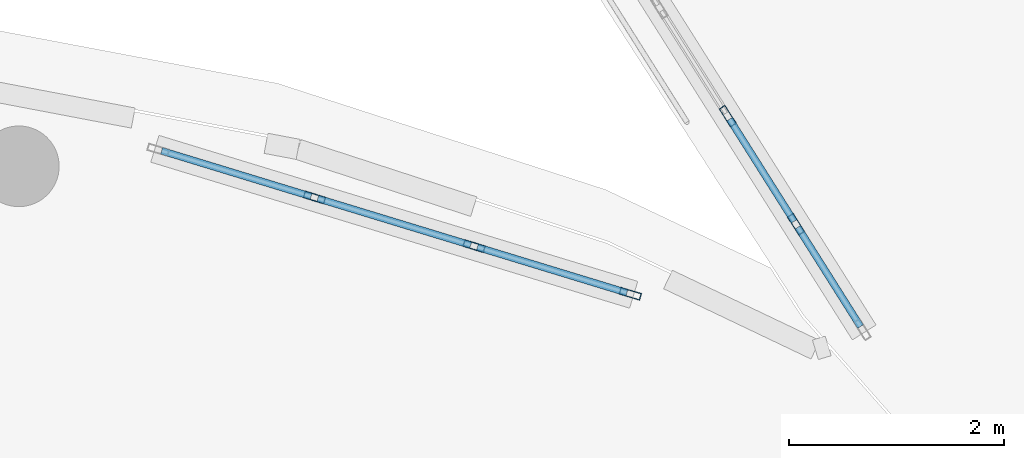
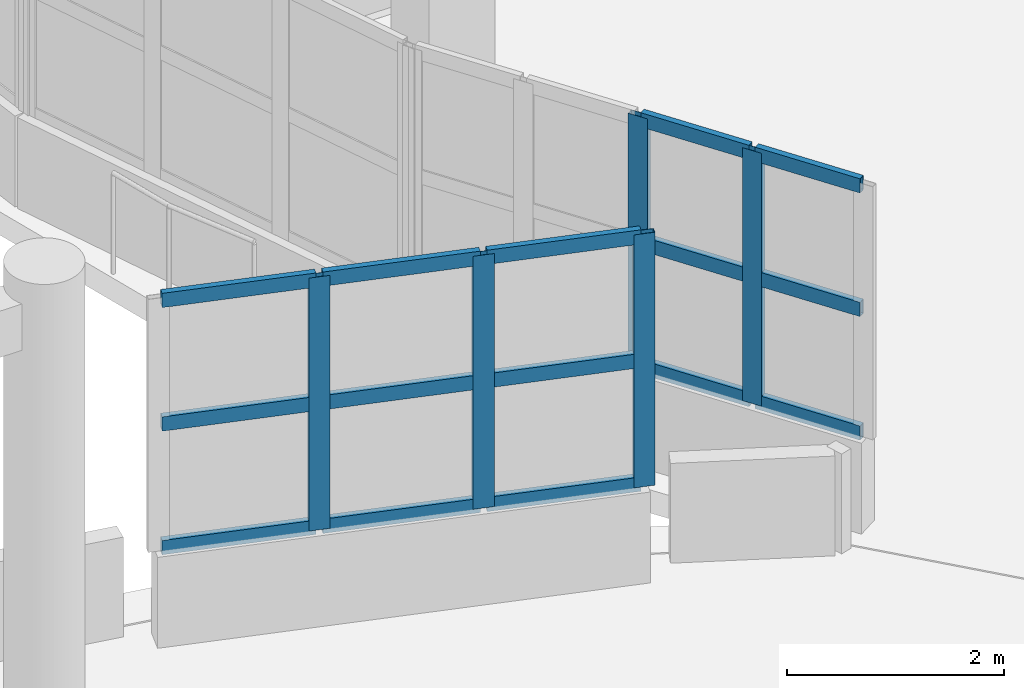
# One storey, part 34 of 98: 20 members, 2 elements without a shape of their own.
"""IFC4 building model written with IfcOpenShell, lengths in metres."""

from ifc_helpers import new_model, si_unit, direction, frame, origin, origin_2d, place, context, subcontext, project, spatial, hollow_rectangle, extrude, material, layer, layer_set, material_profile, profile_set, type_object, element, aggregate, save


model = new_model("IFC4")

# Units and contexts
model_context = context("Model", 3, precision=1e-05, world=origin(), true_north=direction((0.0, 1.0)))
body_context = subcontext(model_context, "Body", "Model", "MODEL_VIEW")
ifc_project = project(units=[si_unit("LENGTHUNIT", "METRE"), si_unit("AREAUNIT", "SQUARE_METRE"), si_unit("VOLUMEUNIT", "CUBIC_METRE"), si_unit("PLANEANGLEUNIT", "RADIAN"), si_unit("MASSUNIT", "GRAM", prefix="KILO")], contexts=[model_context])

# Site, building, storey
site_placement = place(None, origin())
site = spatial("IfcSite", under=ifc_project, at=site_placement, CompositionType="ELEMENT")
building_placement = place(site_placement, origin())
building = spatial("IfcBuilding", under=site, at=building_placement, Name="Pelvatis Terrace Science Centre", CompositionType="ELEMENT")
storey_placement = place(building_placement, frame((0.0, 0.0, 5.39990234375)))
storey = spatial("IfcBuildingStorey", under=building, at=storey_placement, Name="L01", CompositionType="ELEMENT", Elevation=5.39990234375)

# Curtain wall, members
ifc_material_1 = material(Name="Bronze-anodised aluminium and laminated glass", Category="aluminium")
ifc_layer = layer(ifc_material_1, 0.199951171875)
ifc_layer_set = layer_set([ifc_layer], Name="Bronze-anodised aluminium and laminated glass")
curtain_wall_type = type_object("IfcCurtainWallType", Name="CW-RIBBON-B", PredefinedType="NOTDEFINED", material=ifc_layer_set)
curtain_wall_1_placement = place(storey_placement, origin())
curtain_wall_1 = element("IfcCurtainWall", 1, at=curtain_wall_1_placement, inside=storey, type_object=curtain_wall_type, Name="Ribbon curtain wall CW-062 (L01)", PredefinedType="NOTDEFINED")
ifc_material_2 = material(Name="Bronze-anodised aluminium 6063-T6", Category="aluminium")
ifc_material_profile_1 = material_profile(ifc_material_2, hollow_rectangle(XDim=0.06494140625, YDim=0.199951171875, WallThickness=0.00439453125, at=origin_2d()), Name="ALU-MUL 65x200")
ifc_profile_set_1 = profile_set([ifc_material_profile_1], Name="Bronze-anodised aluminium 6063-T6")
member_type_1 = type_object("IfcMemberType", Name="CWM-65x200", PredefinedType="MULLION", material=ifc_profile_set_1)
member_1_placement = place(storey_placement, frame((86.102294921875, 70.2421875, 1.02001953125), z_axis=(0.0, 0.0, 1.0), x_axis=(-0.291750973492, -0.956494312302, 0.0)))
member_1 = element("IfcMember", 2, at=member_1_placement, type_object=member_type_1, Name="CW-062 mullion 1", PredefinedType="MULLION", context=body_context, shape_type="SweptSolid", body=[
    extrude(hollow_rectangle(XDim=0.06494140625, YDim=0.199951171875, WallThickness=0.00439453125, at=origin_2d()), origin(), (0.0, 0.0, 1.0), 2.840087890625),
])
member_2_placement = place(storey_placement, frame((84.650146484375, 70.68505859375, 1.02001953125), z_axis=(0.0, 0.0, 1.0), x_axis=(-0.291750973492, -0.956494312302, 0.0)))
member_2 = element("IfcMember", 3, at=member_2_placement, type_object=member_type_1, Name="CW-062 mullion 2", PredefinedType="MULLION", context=body_context, shape_type="SweptSolid", body=[
    extrude(hollow_rectangle(XDim=0.06494140625, YDim=0.199951171875, WallThickness=0.00439453125, at=origin_2d()), origin(), (0.0, 0.0, 1.0), 2.840087890625),
])
member_3_placement = place(storey_placement, frame((83.167236328125, 71.137451171875, 1.02001953125), z_axis=(0.0, 0.0, 1.0), x_axis=(-0.291750973492, -0.956494312302, 0.0)))
member_3 = element("IfcMember", 4, at=member_3_placement, type_object=member_type_1, Name="CW-062 mullion 3", PredefinedType="MULLION", context=body_context, shape_type="SweptSolid", body=[
    extrude(hollow_rectangle(XDim=0.06494140625, YDim=0.199951171875, WallThickness=0.00439453125, at=origin_2d()), origin(), (0.0, 0.0, 1.0), 2.840087890625),
])

curtain_wall_2_placement = place(storey_placement, origin())
curtain_wall_2 = element("IfcCurtainWall", 5, at=curtain_wall_2_placement, inside=storey, type_object=curtain_wall_type, Name="Ribbon curtain wall CW-143 (L01)", PredefinedType="NOTDEFINED")
member_4_placement = place(storey_placement, frame((87.0078125, 71.892822265625, 1.02001953125), z_axis=(0.0, 0.0, 1.0), x_axis=(0.845678324599, 0.533692956019, 0.0)))
member_4 = element("IfcMember", 6, at=member_4_placement, type_object=member_type_1, Name="CW-143 mullion 3", PredefinedType="MULLION", context=body_context, shape_type="SweptSolid", body=[
    extrude(hollow_rectangle(XDim=0.06494140625, YDim=0.199951171875, WallThickness=0.00439453125, at=origin_2d()), origin(), (0.0, 0.0, 1.0), 2.840087890625),
])
member_5_placement = place(storey_placement, frame((87.64208984375, 70.887939453125, 1.02001953125), z_axis=(0.0, 0.0, 1.0), x_axis=(0.845678324599, 0.533692956019, 0.0)))
member_5 = element("IfcMember", 7, at=member_5_placement, type_object=member_type_1, Name="CW-143 mullion 4", PredefinedType="MULLION", context=body_context, shape_type="SweptSolid", body=[
    extrude(hollow_rectangle(XDim=0.06494140625, YDim=0.199951171875, WallThickness=0.00439453125, at=origin_2d()), origin(), (0.0, 0.0, 1.0), 2.840087890625),
])

# Member
ifc_material_3 = material(Name="Bronze-anodised aluminium 6063-T6", Category="aluminium")
ifc_material_profile_2 = material_profile(ifc_material_3, hollow_rectangle(XDim=0.06494140625, YDim=0.159912109375, WallThickness=0.00390625, at=origin_2d()), Name="ALU-TRN 65x160")
ifc_profile_set_2 = profile_set([ifc_material_profile_2], Name="Bronze-anodised aluminium 6063-T6")
member_type_2 = type_object("IfcMemberType", Name="CWT-65x160", PredefinedType="USERDEFINED", material=ifc_profile_set_2)
member_6_placement = place(storey_placement, frame((86.071044921875, 70.251708984375, 1.052490234375), z_axis=(-0.956455864974, 0.291876991824, 0.0), x_axis=(-0.291876991824, -0.956455864974, 0.0)))
member_6 = element("IfcMember", 8, at=member_6_placement, type_object=member_type_2, Name="CW-062 transom 1.1", ObjectType="TRANSOM", PredefinedType="USERDEFINED", context=body_context, shape_type="SweptSolid", body=[
    extrude(hollow_rectangle(XDim=0.06494140625, YDim=0.159912109375, WallThickness=0.00390625, at=origin_2d()), origin(), (0.0, 0.0, 1.0), 1.452880859375),
])

member_7_placement = place(storey_placement, frame((86.071044921875, 70.251708984375, 2.440185546875), z_axis=(-0.956455864974, 0.291876991824, 0.0), x_axis=(-0.291876991824, -0.956455864974, 0.0)))
member_7 = element("IfcMember", 9, at=member_7_placement, type_object=member_type_2, Name="CW-062 transom 1.2", ObjectType="TRANSOM", PredefinedType="USERDEFINED", context=body_context, shape_type="SweptSolid", body=[
    extrude(hollow_rectangle(XDim=0.06494140625, YDim=0.159912109375, WallThickness=0.00390625, at=origin_2d()), origin(), (0.0, 0.0, 1.0), 1.452880859375),
])

member_8_placement = place(storey_placement, frame((86.071044921875, 70.251708984375, 3.82763671875), z_axis=(-0.956455864974, 0.291876991824, 0.0), x_axis=(-0.291876991824, -0.956455864974, 0.0)))
member_8 = element("IfcMember", 10, at=member_8_placement, type_object=member_type_2, Name="CW-062 transom 1.3", ObjectType="TRANSOM", PredefinedType="USERDEFINED", context=body_context, shape_type="SweptSolid", body=[
    extrude(hollow_rectangle(XDim=0.06494140625, YDim=0.159912109375, WallThickness=0.00390625, at=origin_2d()), origin(), (0.0, 0.0, 1.0), 1.452880859375),
])

member_9_placement = place(storey_placement, frame((84.619140625, 70.694580078125, 1.052490234375), z_axis=(-0.95650453731, 0.291717449094, 0.0), x_axis=(-0.291717449094, -0.95650453731, 0.0)))
member_9 = element("IfcMember", 11, at=member_9_placement, type_object=member_type_2, Name="CW-062 transom 2.1", ObjectType="TRANSOM", PredefinedType="USERDEFINED", context=body_context, shape_type="SweptSolid", body=[
    extrude(hollow_rectangle(XDim=0.06494140625, YDim=0.159912109375, WallThickness=0.00390625, at=origin_2d()), origin(), (0.0, 0.0, 1.0), 1.485595703125),
])

member_10_placement = place(storey_placement, frame((84.619140625, 70.694580078125, 2.440185546875), z_axis=(-0.95650453731, 0.291717449094, 0.0), x_axis=(-0.291717449094, -0.95650453731, 0.0)))
member_10 = element("IfcMember", 12, at=member_10_placement, type_object=member_type_2, Name="CW-062 transom 2.2", ObjectType="TRANSOM", PredefinedType="USERDEFINED", context=body_context, shape_type="SweptSolid", body=[
    extrude(hollow_rectangle(XDim=0.06494140625, YDim=0.159912109375, WallThickness=0.00390625, at=origin_2d()), origin(), (0.0, 0.0, 1.0), 1.485595703125),
])

member_11_placement = place(storey_placement, frame((84.619140625, 70.694580078125, 3.82763671875), z_axis=(-0.95650453731, 0.291717449094, 0.0), x_axis=(-0.291717449094, -0.95650453731, 0.0)))
member_11 = element("IfcMember", 13, at=member_11_placement, type_object=member_type_2, Name="CW-062 transom 2.3", ObjectType="TRANSOM", PredefinedType="USERDEFINED", context=body_context, shape_type="SweptSolid", body=[
    extrude(hollow_rectangle(XDim=0.06494140625, YDim=0.159912109375, WallThickness=0.00390625, at=origin_2d()), origin(), (0.0, 0.0, 1.0), 1.485595703125),
])

member_12_placement = place(storey_placement, frame((83.135986328125, 71.14697265625, 1.052490234375), z_axis=(-0.956455864974, 0.291876991824, 0.0), x_axis=(-0.291876991824, -0.956455864974, 0.0)))
member_12 = element("IfcMember", 14, at=member_12_placement, type_object=member_type_2, Name="CW-062 transom 3.1", ObjectType="TRANSOM", PredefinedType="USERDEFINED", context=body_context, shape_type="SweptSolid", body=[
    extrude(hollow_rectangle(XDim=0.06494140625, YDim=0.159912109375, WallThickness=0.00390625, at=origin_2d()), origin(), (0.0, 0.0, 1.0), 1.452880859375),
])

member_13_placement = place(storey_placement, frame((83.135986328125, 71.14697265625, 2.440185546875), z_axis=(-0.956455864974, 0.291876991824, 0.0), x_axis=(-0.291876991824, -0.956455864974, 0.0)))
member_13 = element("IfcMember", 15, at=member_13_placement, type_object=member_type_2, Name="CW-062 transom 3.2", ObjectType="TRANSOM", PredefinedType="USERDEFINED", context=body_context, shape_type="SweptSolid", body=[
    extrude(hollow_rectangle(XDim=0.06494140625, YDim=0.159912109375, WallThickness=0.00390625, at=origin_2d()), origin(), (0.0, 0.0, 1.0), 1.452880859375),
])

member_14_placement = place(storey_placement, frame((83.135986328125, 71.14697265625, 3.82763671875), z_axis=(-0.956455864974, 0.291876991824, 0.0), x_axis=(-0.291876991824, -0.956455864974, 0.0)))
member_14 = element("IfcMember", 16, at=member_14_placement, type_object=member_type_2, Name="CW-062 transom 3.3", ObjectType="TRANSOM", PredefinedType="USERDEFINED", context=body_context, shape_type="SweptSolid", body=[
    extrude(hollow_rectangle(XDim=0.06494140625, YDim=0.159912109375, WallThickness=0.00390625, at=origin_2d()), origin(), (0.0, 0.0, 1.0), 1.452880859375),
])

aggregate(curtain_wall_1, [member_1, member_2, member_3, member_6, member_7, member_8, member_9, member_10, member_11, member_12, member_13, member_14])

member_15_placement = place(storey_placement, frame((87.025146484375, 71.865234375, 1.052490234375), z_axis=(0.533764021525, -0.845633472212, 0.0), x_axis=(0.845633472212, 0.533764021525, 0.0)))
member_15 = element("IfcMember", 17, at=member_15_placement, type_object=member_type_2, Name="CW-143 transom 3.1", ObjectType="TRANSOM", PredefinedType="USERDEFINED", context=body_context, shape_type="SweptSolid", body=[
    extrude(hollow_rectangle(XDim=0.06494140625, YDim=0.159912109375, WallThickness=0.00390625, at=origin_2d()), origin(), (0.0, 0.0, 1.0), 1.123291015625),
])

member_16_placement = place(storey_placement, frame((87.025146484375, 71.865234375, 2.440185546875), z_axis=(0.533764021525, -0.845633472212, 0.0), x_axis=(0.845633472212, 0.533764021525, 0.0)))
member_16 = element("IfcMember", 18, at=member_16_placement, type_object=member_type_2, Name="CW-143 transom 3.2", ObjectType="TRANSOM", PredefinedType="USERDEFINED", context=body_context, shape_type="SweptSolid", body=[
    extrude(hollow_rectangle(XDim=0.06494140625, YDim=0.159912109375, WallThickness=0.00390625, at=origin_2d()), origin(), (0.0, 0.0, 1.0), 1.123291015625),
])

member_17_placement = place(storey_placement, frame((87.025146484375, 71.865234375, 3.82763671875), z_axis=(0.533764021525, -0.845633472212, 0.0), x_axis=(0.845633472212, 0.533764021525, 0.0)))
member_17 = element("IfcMember", 19, at=member_17_placement, type_object=member_type_2, Name="CW-143 transom 3.3", ObjectType="TRANSOM", PredefinedType="USERDEFINED", context=body_context, shape_type="SweptSolid", body=[
    extrude(hollow_rectangle(XDim=0.06494140625, YDim=0.159912109375, WallThickness=0.00390625, at=origin_2d()), origin(), (0.0, 0.0, 1.0), 1.123291015625),
])

member_18_placement = place(storey_placement, frame((87.659423828125, 70.8603515625, 1.052490234375), z_axis=(0.533656067304, -0.845701603303, 0.0), x_axis=(0.845701603303, 0.533656067304, 0.0)))
member_18 = element("IfcMember", 20, at=member_18_placement, type_object=member_type_2, Name="CW-143 transom 4.1", ObjectType="TRANSOM", PredefinedType="USERDEFINED", context=body_context, shape_type="SweptSolid", body=[
    extrude(hollow_rectangle(XDim=0.06494140625, YDim=0.159912109375, WallThickness=0.00390625, at=origin_2d()), origin(), (0.0, 0.0, 1.0), 1.090576171875),
])

member_19_placement = place(storey_placement, frame((87.659423828125, 70.8603515625, 2.440185546875), z_axis=(0.533656067304, -0.845701603303, 0.0), x_axis=(0.845701603303, 0.533656067304, 0.0)))
member_19 = element("IfcMember", 21, at=member_19_placement, type_object=member_type_2, Name="CW-143 transom 4.2", ObjectType="TRANSOM", PredefinedType="USERDEFINED", context=body_context, shape_type="SweptSolid", body=[
    extrude(hollow_rectangle(XDim=0.06494140625, YDim=0.159912109375, WallThickness=0.00390625, at=origin_2d()), origin(), (0.0, 0.0, 1.0), 1.090576171875),
])

member_20_placement = place(storey_placement, frame((87.659423828125, 70.8603515625, 3.82763671875), z_axis=(0.533656067304, -0.845701603303, 0.0), x_axis=(0.845701603303, 0.533656067304, 0.0)))
member_20 = element("IfcMember", 22, at=member_20_placement, type_object=member_type_2, Name="CW-143 transom 4.3", ObjectType="TRANSOM", PredefinedType="USERDEFINED", context=body_context, shape_type="SweptSolid", body=[
    extrude(hollow_rectangle(XDim=0.06494140625, YDim=0.159912109375, WallThickness=0.00390625, at=origin_2d()), origin(), (0.0, 0.0, 1.0), 1.090576171875),
])

aggregate(curtain_wall_2, [member_4, member_5, member_15, member_16, member_17, member_18, member_19, member_20])

save(model, "model.ifc")
